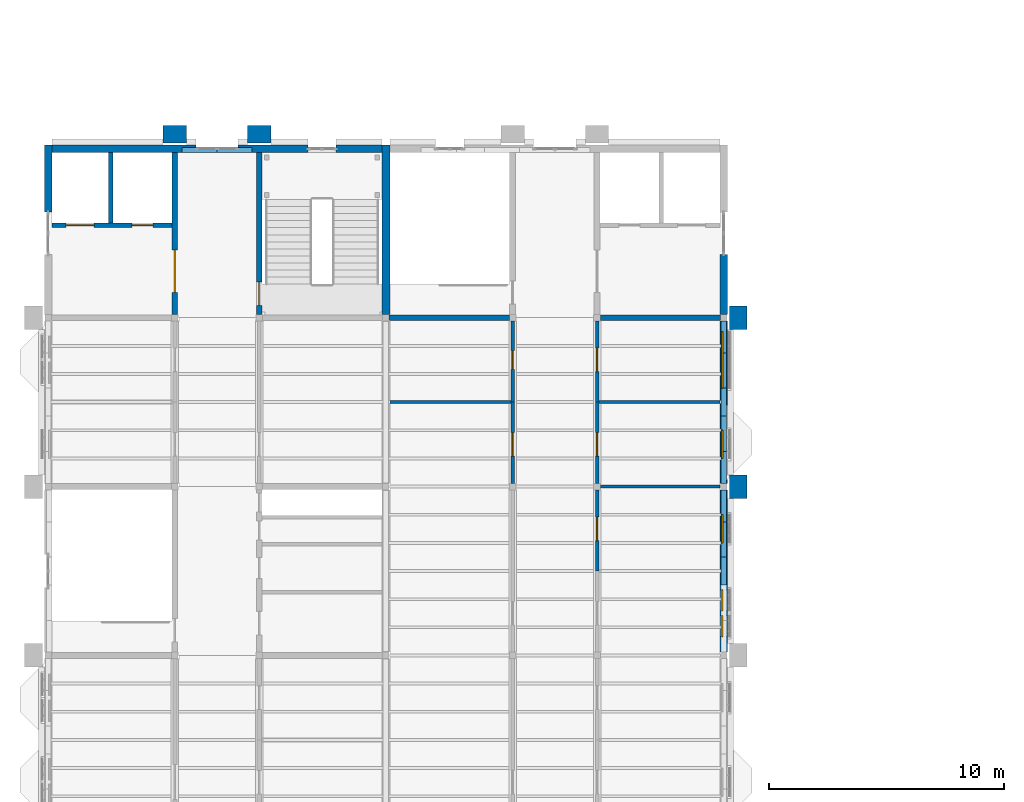
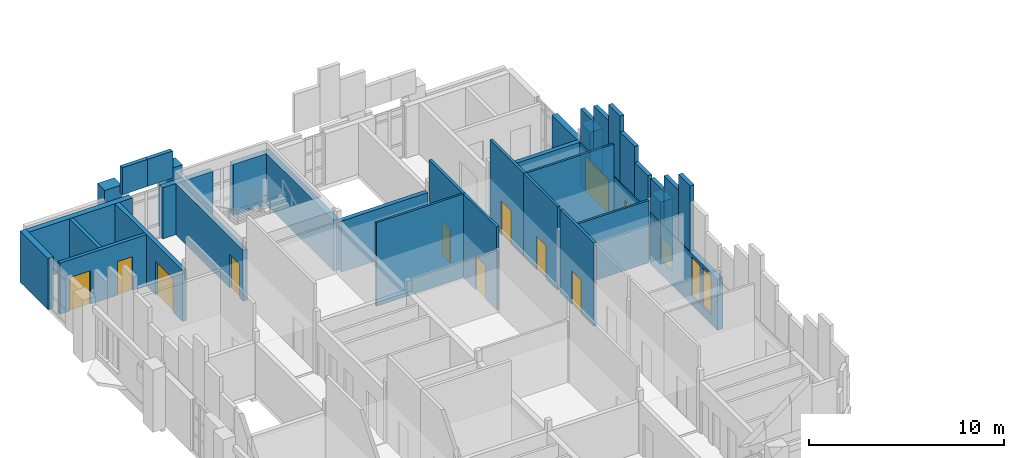
# One storey, part 35 of 51: 36 walls, 9 doors, 5 windows, 14 openings.
"""IFC4 building model written with IfcOpenShell, lengths in metres."""

from ifc_helpers import new_model, si_unit, direction, frame, frame_2d, origin, place, context, subcontext, project, spatial, rectangle, extrude, material, layer, layer_set, type_object, element, fill, save


model = new_model("IFC4")

# Units and contexts
model_context = context("Model", 3, precision=1e-05, world=origin(), true_north=direction((0.0, 1.0)))
body_context = subcontext(model_context, "Body", "Model", "MODEL_VIEW")
ifc_project = project(units=[si_unit("LENGTHUNIT", "METRE"), si_unit("AREAUNIT", "SQUARE_METRE"), si_unit("VOLUMEUNIT", "CUBIC_METRE"), si_unit("PLANEANGLEUNIT", "RADIAN"), si_unit("MASSUNIT", "GRAM", prefix="KILO")], contexts=[model_context])

# Site, building, storey
site_placement = place(None, origin())
site = spatial("IfcSite", under=ifc_project, at=site_placement, CompositionType="ELEMENT")
building_placement = place(site_placement, origin())
building = spatial("IfcBuilding", under=site, at=building_placement, Name="Mazhai Court Health Centre", CompositionType="ELEMENT")
storey_placement = place(building_placement, frame((0.0, 0.0, 14.10009765625)))
storey = spatial("IfcBuildingStorey", under=building, at=storey_placement, Name="L03", CompositionType="ELEMENT", Elevation=14.10009765625)

# Walls
ifc_material_1 = material(Name="Clay brick masonry", Category="masonry")
ifc_layer_1 = layer(ifc_material_1, 0.22998046875)
ifc_layer_set_1 = layer_set([ifc_layer_1], Name="BRICK PARAPET 230")
wall_type_1 = type_object("IfcWallType", Name="BRICK PARAPET 230", PredefinedType="SOLIDWALL", material=ifc_layer_set_1)
for number, where, z_axis, x_axis, name in (
    (1, (11.89990234375, 42.14990234375, 3.599853515625), (0.0, 0.0, 1.0), (1.0, 0.0, 0.0), "PR-V2-E5"),
    (2, (13.39990234375, 42.14990234375, 3.599853515625), (0.0, 0.0, 1.0), (1.0, 0.0, 0.0), "PR-V2-E6"),
):
    element("IfcWall", number, at=place(storey_placement, frame(where, z_axis=z_axis, x_axis=x_axis)), inside=storey, type_object=wall_type_1, Name=name, PredefinedType="SOLIDWALL", context=body_context, shape_type="SweptSolid", body=[
        extrude(rectangle(XDim=1.5, YDim=0.22998046875, at=frame_2d((0.75, 0.0))), origin(), (0.0, 0.0, 1.0), 1.699951171875),
    ])
wall_1_placement = place(storey_placement, frame((35.0, 24.800048828125, 3.199951171875), z_axis=(0.0, 0.0, 1.0), x_axis=(0.0, -1.0, 0.0)))
element("IfcWall", 3, at=wall_1_placement, inside=storey, type_object=wall_type_1, Name="PR-V5-B13", PredefinedType="SOLIDWALL", context=body_context, shape_type="SweptSolid", body=[
    extrude(rectangle(XDim=1.199951171875, YDim=0.22998046875, at=frame_2d((0.60009765625, 0.0))), origin(), (0.0, 0.0, 1.0), 4.099853515625),
])
wall_2_placement = place(storey_placement, frame((35.0, 26.300048828125, 3.199951171875), z_axis=(0.0, 0.0, 1.0), x_axis=(0.0, -1.0, 0.0)))
element("IfcWall", 4, at=wall_2_placement, inside=storey, type_object=wall_type_1, Name="PR-V5-B14", PredefinedType="SOLIDWALL", context=body_context, shape_type="SweptSolid", body=[
    extrude(rectangle(XDim=1.5, YDim=0.22998046875, at=frame_2d((0.75, 0.0))), origin(), (0.0, 0.0, 1.0), 3.099853515625),
])
wall_3_placement = place(storey_placement, frame((35.0, 27.659912109375, 3.199951171875), z_axis=(0.0, 0.0, 1.0), x_axis=(0.0, -1.0, 0.0)))
element("IfcWall", 5, at=wall_3_placement, inside=storey, type_object=wall_type_1, Name="PR-V5-B15", PredefinedType="SOLIDWALL", context=body_context, shape_type="SweptSolid", body=[
    extrude(rectangle(XDim=1.35986328125, YDim=0.22998046875, at=frame_2d((0.679931640625, 0.0))), origin(), (0.0, 0.0, 1.0), 2.099853515625),
])
wall_4_placement = place(storey_placement, frame((35.0, 29.300048828125, 3.199951171875), z_axis=(0.0, 0.0, 1.0), x_axis=(0.0, -1.0, 0.0)))
element("IfcWall", 6, at=wall_4_placement, inside=storey, type_object=wall_type_1, Name="PR-V5-B16", PredefinedType="SOLIDWALL", context=body_context, shape_type="SweptSolid", body=[
    extrude(rectangle(XDim=1.360107421875, YDim=0.22998046875, at=frame_2d((0.68017578125, 0.0))), origin(), (0.0, 0.0, 1.0), 2.099853515625),
])
wall_5_placement = place(storey_placement, frame((35.0, 30.800048828125, 3.199951171875), z_axis=(0.0, 0.0, 1.0), x_axis=(0.0, -1.0, 0.0)))
element("IfcWall", 7, at=wall_5_placement, inside=storey, type_object=wall_type_1, Name="PR-V5-B17", PredefinedType="SOLIDWALL", context=body_context, shape_type="SweptSolid", body=[
    extrude(rectangle(XDim=1.5, YDim=0.22998046875, at=frame_2d((0.75, 0.0))), origin(), (0.0, 0.0, 1.0), 3.099853515625),
])
wall_6_placement = place(storey_placement, frame((35.0, 32.0, 3.199951171875), z_axis=(0.0, 0.0, 1.0), x_axis=(0.0, -1.0, 0.0)))
element("IfcWall", 8, at=wall_6_placement, inside=storey, type_object=wall_type_1, Name="PR-V5-B18", PredefinedType="SOLIDWALL", context=body_context, shape_type="SweptSolid", body=[
    extrude(rectangle(XDim=1.199951171875, YDim=0.22998046875, at=frame_2d((0.60009765625, 0.0))), origin(), (0.0, 0.0, 1.0), 4.099853515625),
])
wall_7_placement = place(storey_placement, frame((35.0, 33.5, 3.199951171875), z_axis=(0.0, 0.0, 1.0), x_axis=(0.0, -1.0, 0.0)))
element("IfcWall", 9, at=wall_7_placement, inside=storey, type_object=wall_type_1, Name="PR-V5-B19", PredefinedType="SOLIDWALL", context=body_context, shape_type="SweptSolid", body=[
    extrude(rectangle(XDim=1.5, YDim=0.22998046875, at=frame_2d((0.75, 0.0))), origin(), (0.0, 0.0, 1.0), 3.099853515625),
])
wall_8_placement = place(storey_placement, frame((35.0, 34.860107421875, 3.199951171875), z_axis=(0.0, 0.0, 1.0), x_axis=(0.0, -1.0, 0.0)))
element("IfcWall", 10, at=wall_8_placement, inside=storey, type_object=wall_type_1, Name="PR-V5-B20", PredefinedType="SOLIDWALL", context=body_context, shape_type="SweptSolid", body=[
    extrude(rectangle(XDim=1.360107421875, YDim=0.22998046875, at=frame_2d((0.68017578125, 0.0))), origin(), (0.0, 0.0, 1.0), 2.099853515625),
])
ifc_material_2 = material(Name="Clay brick masonry", Category="masonry")
ifc_layer_2 = layer(ifc_material_2, 0.75)
ifc_layer_set_2 = layer_set([ifc_layer_2], Name="BRICK PIER 750")
wall_type_2 = type_object("IfcWallType", Name="BRICK PIER 750", PredefinedType="SOLIDWALL", material=ifc_layer_set_2)
for number, where, z_axis, x_axis, name in (
    (11, (11.10009765625, 42.824951171875, 0.0), (0.0, 0.0, 1.0), (1.0, 0.0, 0.0), "EP-V2-L03-E54"),
    (12, (14.699951171875, 42.824951171875, 0.0), (0.0, 0.0, 1.0), (1.0, 0.0, 0.0), "EP-V2-L03-E90"),
    (13, (35.625, 28.300048828125, 0.0), (0.0, 0.0, 1.0), (0.0, -1.0, 0.0), "EP-V5-L03-B3"),
    (14, (35.625, 35.5, 0.0), (0.0, 0.0, 1.0), (0.0, -1.0, 0.0), "EP-V5-L03-B4"),
):
    element("IfcWall", number, at=place(storey_placement, frame(where, z_axis=z_axis, x_axis=x_axis)), inside=storey, type_object=wall_type_2, Name=name, PredefinedType="SOLIDWALL", context=body_context, shape_type="SweptSolid", body=[
        extrude(rectangle(XDim=1.0, YDim=0.75, at=frame_2d((0.5, 0.0))), origin(), (0.0, 0.0, 1.0), 3.89990234375),
    ])
ifc_material_3 = material(Name="Clay brick masonry", Category="masonry")
ifc_layer_3 = layer(ifc_material_3, 0.330078125)
ifc_layer_set_3 = layer_set([ifc_layer_3], Name="BRICK WALL 330 EXTERNAL")
wall_type_3 = type_object("IfcWallType", Name="BRICK WALL 330 EXTERNAL", PredefinedType="SOLIDWALL", material=ifc_layer_set_3)
wall_9_placement = place(storey_placement, frame((6.199951171875, 39.5, 0.0), z_axis=(0.0, 0.0, 1.0), x_axis=(0.0, 1.0, 0.0)))
element("IfcWall", 15, at=wall_9_placement, inside=storey, type_object=wall_type_3, Name="EW-V2-L03-A4b", PredefinedType="SOLIDWALL", context=body_context, shape_type="SweptSolid", body=[
    extrude(rectangle(XDim=2.864990234375, YDim=0.330078125, at=frame_2d((1.4326171875, 0.0))), origin(), (0.0, 0.0, 1.0), 3.199951171875),
])
wall_10_placement = place(storey_placement, frame((6.364990234375, 42.199951171875, 0.0), z_axis=(0.0, 0.0, 1.0), x_axis=(1.0, 0.0, 0.0)))
element("IfcWall", 16, at=wall_10_placement, inside=storey, type_object=wall_type_3, Name="EW-V2-L03-Ep0", PredefinedType="SOLIDWALL", context=body_context, shape_type="SweptSolid", body=[
    extrude(rectangle(XDim=6.135009765625, YDim=0.330078125, at=frame_2d((3.0673828125, 0.0))), origin(), (0.0, 0.0, 1.0), 3.199951171875),
])
wall_11_placement = place(storey_placement, frame((14.300048828125, 42.199951171875, 0.0), z_axis=(0.0, 0.0, 1.0), x_axis=(1.0, 0.0, 0.0)))
element("IfcWall", 17, at=wall_11_placement, inside=storey, type_object=wall_type_3, Name="EW-V2-L03-Ep1", PredefinedType="SOLIDWALL", context=body_context, shape_type="SweptSolid", body=[
    extrude(rectangle(XDim=2.97998046875, YDim=0.330078125, at=frame_2d((1.489990234375, 0.0))), origin(), (0.0, 0.0, 1.0), 3.199951171875),
])
wall_12_placement = place(storey_placement, frame((18.47998046875, 42.199951171875, 0.0), z_axis=(0.0, 0.0, 1.0), x_axis=(1.0, 0.0, 0.0)))
element("IfcWall", 18, at=wall_12_placement, inside=storey, type_object=wall_type_3, Name="EW-V2-L03-Ep2", PredefinedType="SOLIDWALL", context=body_context, shape_type="SweptSolid", body=[
    extrude(rectangle(XDim=1.955078125, YDim=0.330078125, at=frame_2d((0.9775390625, 0.0))), origin(), (0.0, 0.0, 1.0), 3.199951171875),
])

# Wall, openings, windows
wall_13_placement = place(storey_placement, frame((35.0, 27.659912109375, 0.0), z_axis=(0.0, 0.0, 1.0), x_axis=(0.0, -1.0, 0.0)))
wall_13 = element("IfcWall", 19, at=wall_13_placement, inside=storey, type_object=wall_type_3, Name="EW-V5-L03-B2p0", PredefinedType="SOLIDWALL", context=body_context, shape_type="SweptSolid", body=[
    extrude(rectangle(XDim=6.919921875, YDim=0.330078125, at=frame_2d((3.4599609375, 0.0))), origin(), (0.0, 0.0, 1.0), 3.199951171875),
])
opening_1_placement = place(wall_13_placement, frame((5.360107421875, 0.0, 0.60009765625)))
opening_1 = element("IfcOpeningElement", 20, at=opening_1_placement, cuts=wall_13, Name="Opening W14", PredefinedType="OPENING", context=body_context, shape_type="SweptSolid", body=[
    extrude(rectangle(XDim=0.89990234375, YDim=2.39990234375, at=frame_2d((0.449951171875, 1.199951171875))), frame((0.0, 0.175048828125, 0.0), z_axis=(0.0, -1.0, 0.0), x_axis=(1.0, 0.0, 0.0)), (0.0, 0.0, 1.0), 0.35009765625),
])
opening_2_placement = place(wall_13_placement, frame((4.260009765625, 0.0, 0.60009765625)))
opening_2 = element("IfcOpeningElement", 21, at=opening_2_placement, cuts=wall_13, Name="Opening W14", PredefinedType="OPENING", context=body_context, shape_type="SweptSolid", body=[
    extrude(rectangle(XDim=0.89990234375, YDim=2.39990234375, at=frame_2d((0.449951171875, 1.199951171875))), frame((0.0, 0.175048828125, 0.0), z_axis=(0.0, -1.0, 0.0), x_axis=(1.0, 0.0, 0.0)), (0.0, 0.0, 1.0), 0.35009765625),
])
opening_3_placement = place(wall_13_placement, frame((1.06005859375, 0.0, 0.89990234375)))
opening_3 = element("IfcOpeningElement", 22, at=opening_3_placement, cuts=wall_13, Name="Opening W12", PredefinedType="OPENING", context=body_context, shape_type="SweptSolid", body=[
    extrude(rectangle(XDim=1.199951171875, YDim=1.5, at=frame_2d((0.60009765625, 0.75))), frame((0.0, 0.175048828125, 0.0), z_axis=(0.0, -1.0, 0.0), x_axis=(1.0, 0.0, 0.0)), (0.0, 0.0, 1.0), 0.35009765625),
])
ifc_material_4 = material(Name="Teak timber frame, glazed", Category="wood")
window_type_1 = type_object("IfcWindowType", Name="WINDOW OFFICE 1200x1500", PartitioningType="SINGLE_PANEL", PredefinedType="WINDOW", material=ifc_material_4)
window_1_placement = place(opening_3_placement, origin())
window_1 = element("IfcWindow", 23, at=window_1_placement, inside=storey, type_object=window_type_1, Name="W12 WN-V5-L03-B21", OverallHeight=1.5, OverallWidth=1.199951171875, PartitioningType="SINGLE_PANEL", PredefinedType="WINDOW", context=body_context, shape_type="SweptSolid", body=[
    extrude(rectangle(XDim=1.199951171875, YDim=1.5, at=frame_2d((0.60009765625, 0.75))), frame((0.0, -0.030029296875, 0.0), z_axis=(0.0, -1.0, 0.0), x_axis=(1.0, 0.0, 0.0)), (0.0, 0.0, 1.0), 0.06005859375),
])
fill(opening_3, window_1)
ifc_material_5 = material(Name="Teak timber frame, glazed", Category="wood")
window_type_2 = type_object("IfcWindowType", Name="WINDOW TALL PAIRED 900x2400", PartitioningType="SINGLE_PANEL", PredefinedType="WINDOW", material=ifc_material_5)
window_2_placement = place(opening_1_placement, origin())
window_2 = element("IfcWindow", 24, at=window_2_placement, inside=storey, type_object=window_type_2, Name="W14 WN-V5-L03-B20a", OverallHeight=2.39990234375, OverallWidth=0.89990234375, PartitioningType="SINGLE_PANEL", PredefinedType="WINDOW", context=body_context, shape_type="SweptSolid", body=[
    extrude(rectangle(XDim=0.89990234375, YDim=2.39990234375, at=frame_2d((0.449951171875, 1.199951171875))), frame((0.0, -0.030029296875, 0.0), z_axis=(0.0, -1.0, 0.0), x_axis=(1.0, 0.0, 0.0)), (0.0, 0.0, 1.0), 0.06005859375),
])
fill(opening_1, window_2)
window_3_placement = place(opening_2_placement, origin())
window_3 = element("IfcWindow", 25, at=window_3_placement, inside=storey, type_object=window_type_2, Name="W14 WN-V5-L03-B20b", OverallHeight=2.39990234375, OverallWidth=0.89990234375, PartitioningType="SINGLE_PANEL", PredefinedType="WINDOW", context=body_context, shape_type="SweptSolid", body=[
    extrude(rectangle(XDim=0.89990234375, YDim=2.39990234375, at=frame_2d((0.449951171875, 1.199951171875))), frame((0.0, -0.030029296875, 0.0), z_axis=(0.0, -1.0, 0.0), x_axis=(1.0, 0.0, 0.0)), (0.0, 0.0, 1.0), 0.06005859375),
])
fill(opening_2, window_3)

wall_14_placement = place(storey_placement, frame((35.0, 34.860107421875, 0.0), z_axis=(0.0, 0.0, 1.0), x_axis=(0.0, -1.0, 0.0)))
wall_14 = element("IfcWall", 26, at=wall_14_placement, inside=storey, type_object=wall_type_3, Name="EW-V5-L03-B3p0", PredefinedType="SOLIDWALL", context=body_context, shape_type="SweptSolid", body=[
    extrude(rectangle(XDim=6.920166015625, YDim=0.330078125, at=frame_2d((3.4599609375, 0.0))), origin(), (0.0, 0.0, 1.0), 3.199951171875),
])
opening_4_placement = place(wall_14_placement, frame((4.659912109375, 0.0, 0.89990234375)))
opening_4 = element("IfcOpeningElement", 27, at=opening_4_placement, cuts=wall_14, Name="Opening W12", PredefinedType="OPENING", context=body_context, shape_type="SweptSolid", body=[
    extrude(rectangle(XDim=1.199951171875, YDim=1.5, at=frame_2d((0.60009765625, 0.75))), frame((0.0, 0.175048828125, 0.0), z_axis=(0.0, -1.0, 0.0), x_axis=(1.0, 0.0, 0.0)), (0.0, 0.0, 1.0), 0.35009765625),
])
opening_5_placement = place(wall_14_placement, frame((0.4599609375, 0.0, 0.449951171875)))
opening_5 = element("IfcOpeningElement", 28, at=opening_5_placement, cuts=wall_14, Name="Opening W10", PredefinedType="OPENING", context=body_context, shape_type="SweptSolid", body=[
    extrude(rectangle(XDim=2.39990234375, YDim=2.10009765625, at=frame_2d((1.199951171875, 1.050048828125))), frame((0.0, 0.175048828125, 0.0), z_axis=(0.0, -1.0, 0.0), x_axis=(1.0, 0.0, 0.0)), (0.0, 0.0, 1.0), 0.35009765625),
])
ifc_material_6 = material(Name="Teak timber frame, glazed", Category="wood")
window_type_3 = type_object("IfcWindowType", Name="WINDOW LOUNGE 2400x2100", PartitioningType="SINGLE_PANEL", PredefinedType="WINDOW", material=ifc_material_6)
window_4_placement = place(opening_5_placement, origin())
window_4 = element("IfcWindow", 29, at=window_4_placement, inside=storey, type_object=window_type_3, Name="W10 WN-V5-L03-B31", OverallHeight=2.10009765625, OverallWidth=2.39990234375, PartitioningType="SINGLE_PANEL", PredefinedType="WINDOW", context=body_context, shape_type="SweptSolid", body=[
    extrude(rectangle(XDim=2.39990234375, YDim=2.10009765625, at=frame_2d((1.199951171875, 1.050048828125))), frame((0.0, -0.030029296875, 0.0), z_axis=(0.0, -1.0, 0.0), x_axis=(1.0, 0.0, 0.0)), (0.0, 0.0, 1.0), 0.06005859375),
])
fill(opening_5, window_4)
window_5_placement = place(opening_4_placement, origin())
window_5 = element("IfcWindow", 30, at=window_5_placement, inside=storey, type_object=window_type_1, Name="W12 WN-V5-L03-B30", OverallHeight=1.5, OverallWidth=1.199951171875, PartitioningType="SINGLE_PANEL", PredefinedType="WINDOW", context=body_context, shape_type="SweptSolid", body=[
    extrude(rectangle(XDim=1.199951171875, YDim=1.5, at=frame_2d((0.60009765625, 0.75))), frame((0.0, -0.030029296875, 0.0), z_axis=(0.0, -1.0, 0.0), x_axis=(1.0, 0.0, 0.0)), (0.0, 0.0, 1.0), 0.06005859375),
])
fill(opening_4, window_5)

# Walls
wall_15_placement = place(storey_placement, frame((35.0, 37.699951171875, 0.0), z_axis=(0.0, 0.0, 1.0), x_axis=(0.0, -1.0, 0.0)))
element("IfcWall", 31, at=wall_15_placement, inside=storey, type_object=wall_type_3, Name="EW-V5-L03-B4a", PredefinedType="SOLIDWALL", context=body_context, shape_type="SweptSolid", body=[
    extrude(rectangle(XDim=2.56005859375, YDim=0.330078125, at=frame_2d((1.280029296875, 0.0))), origin(), (0.0, 0.0, 1.0), 3.199951171875),
])
ifc_material_7 = material(Name="Clay brick masonry", Category="masonry")
ifc_layer_4 = layer(ifc_material_7, 0.330078125)
ifc_layer_set_4 = layer_set([ifc_layer_4], Name="BRICK WALL 330 INTERNAL")
wall_type_4 = type_object("IfcWallType", Name="BRICK WALL 330 INTERNAL", PredefinedType="SOLIDWALL", material=ifc_layer_set_4)
wall_16_placement = place(storey_placement, frame((20.60009765625, 42.364990234375, 0.0), z_axis=(0.0, 0.0, 1.0), x_axis=(0.0, -1.0, 0.0)))
element("IfcWall", 32, at=wall_16_placement, inside=storey, type_object=wall_type_4, Name="EW-V2-L03-B4", PredefinedType="SOLIDWALL", context=body_context, shape_type="SweptSolid", body=[
    extrude(rectangle(XDim=7.22509765625, YDim=0.330078125, at=frame_2d((3.612548828125, 0.0))), origin(), (0.0, 0.0, 1.0), 3.199951171875),
])
ifc_material_8 = material(Name="Gypsum plasterboard partition")
ifc_layer_5 = layer(ifc_material_8, 0.125)
ifc_layer_set_5 = layer_set([ifc_layer_5], Name="PARTITION 125 STUD EI30")
wall_type_5 = type_object("IfcWallType", Name="PARTITION 125 STUD EI30", PredefinedType="PARTITIONING", material=ifc_layer_set_5)
wall_17_placement = place(storey_placement, frame((20.764892578125, 31.39990234375, 0.0), z_axis=(0.0, 0.0, 1.0), x_axis=(1.0, 0.0, 0.0)))
element("IfcWall", 33, at=wall_17_placement, inside=storey, type_object=wall_type_5, Name="wall-V5-L03-A0-cross-3a", PredefinedType="PARTITIONING", context=body_context, shape_type="SweptSolid", body=[
    extrude(rectangle(XDim=5.16015625, YDim=0.125, at=frame_2d((2.580078125, 0.0))), origin(), (0.0, 0.0, 1.0), 5.233154296875),
])
wall_18_placement = place(storey_placement, frame((34.8349609375, 27.800048828125, 0.0), z_axis=(0.0, 0.0, 1.0), x_axis=(-1.0, 0.0, 0.0)))
element("IfcWall", 34, at=wall_18_placement, inside=storey, type_object=wall_type_5, Name="wall-V5-L03-B0-cross-4a", PredefinedType="PARTITIONING", context=body_context, shape_type="SweptSolid", body=[
    extrude(rectangle(XDim=5.094970703125, YDim=0.125, at=frame_2d((2.54736328125, 0.0))), origin(), (0.0, 0.0, 1.0), 3.89990234375),
])
wall_19_placement = place(storey_placement, frame((34.8349609375, 31.39990234375, 0.0), z_axis=(0.0, 0.0, 1.0), x_axis=(-1.0, 0.0, 0.0)))
element("IfcWall", 35, at=wall_19_placement, inside=storey, type_object=wall_type_5, Name="wall-V5-L03-B0-cross-5a", PredefinedType="PARTITIONING", context=body_context, shape_type="SweptSolid", body=[
    extrude(rectangle(XDim=5.159912109375, YDim=0.125, at=frame_2d((2.580078125, 0.0))), origin(), (0.0, 0.0, 1.0), 5.233154296875),
])

# Wall, opening, door
ifc_material_9 = material(Name="Gypsum plasterboard partition")
ifc_layer_6 = layer(ifc_material_9, 0.14990234375)
ifc_layer_set_6 = layer_set([ifc_layer_6], Name="PARTITION 150 CORRIDOR EI60")
wall_type_6 = type_object("IfcWallType", Name="PARTITION 150 CORRIDOR EI60", PredefinedType="PARTITIONING", material=ifc_layer_set_6)
wall_20_placement = place(storey_placement, frame((26.0, 27.93994140625, 0.0), z_axis=(0.0, 0.0, 1.0), x_axis=(0.0, 1.0, 0.0)))
wall_20 = element("IfcWall", 36, at=wall_20_placement, inside=storey, type_object=wall_type_6, Name="wall-V5-L03-A0-corr-2a", PredefinedType="PARTITIONING", context=body_context, shape_type="SweptSolid", body=[
    extrude(rectangle(XDim=3.4599609375, YDim=0.14990234375, at=frame_2d((1.72998046875, 0.0))), origin(), (0.0, 0.0, 1.0), 5.233154296875),
])
opening_6_placement = place(wall_20_placement, frame((1.159912109375, 0.0, 0.0)))
opening_6 = element("IfcOpeningElement", 37, at=opening_6_placement, cuts=wall_20, Name="Opening D-L03-022", PredefinedType="OPENING", context=body_context, shape_type="SweptSolid", body=[
    extrude(rectangle(XDim=1.0, YDim=2.10009765625, at=frame_2d((0.5, 1.050048828125))), frame((0.0, 0.0849609375, 0.0), z_axis=(0.0, -1.0, 0.0), x_axis=(1.0, 0.0, 0.0)), (0.0, 0.0, 1.0), 0.169921875),
])
ifc_material_10 = material(Name="Hardwood door leaf", Category="wood")
door_type_1 = type_object("IfcDoorType", Name="DOOR 1000x2100 FD30S SINGLE", OperationType="NOTDEFINED", PredefinedType="DOOR", material=ifc_material_10)
door_1_placement = place(opening_6_placement, origin())
door_1 = element("IfcDoor", 38, at=door_1_placement, inside=storey, type_object=door_type_1, Name="door-V5-L03-A0-computer-training-room", OperationType="SINGLE_SWING_LEFT", OverallHeight=2.10009765625, OverallWidth=1.0, PredefinedType="DOOR", context=body_context, shape_type="SweptSolid", body=[
    extrude(rectangle(XDim=1.0, YDim=2.10009765625, at=frame_2d((0.5, 1.050048828125))), frame((0.0, 0.02490234375, 0.0), z_axis=(0.0, -1.0, 0.0), x_axis=(1.0, 0.0, 0.0)), (0.0, 0.0, 1.0), 0.050048828125),
])
fill(opening_6, door_1)

wall_21_placement = place(storey_placement, frame((26.0, 31.39990234375, 0.0), z_axis=(0.0, 0.0, 1.0), x_axis=(0.0, 1.0, 0.0)))
wall_21 = element("IfcWall", 39, at=wall_21_placement, inside=storey, type_object=wall_type_6, Name="wall-V5-L03-A0-corr-3a", PredefinedType="PARTITIONING", context=body_context, shape_type="SweptSolid", body=[
    extrude(rectangle(XDim=3.460205078125, YDim=0.14990234375, at=frame_2d((1.72998046875, 0.0))), origin(), (0.0, 0.0, 1.0), 5.233154296875),
])
opening_7_placement = place(wall_21_placement, frame((1.39990234375, 0.0, 0.0)))
opening_7 = element("IfcOpeningElement", 40, at=opening_7_placement, cuts=wall_21, Name="Opening D-L03-023", PredefinedType="OPENING", context=body_context, shape_type="SweptSolid", body=[
    extrude(rectangle(XDim=0.800048828125, YDim=2.10009765625, at=frame_2d((0.39990234375, 1.050048828125))), frame((0.0, 0.0849609375, 0.0), z_axis=(0.0, -1.0, 0.0), x_axis=(1.0, 0.0, 0.0)), (0.0, 0.0, 1.0), 0.169921875),
])
ifc_material_11 = material(Name="Hardwood door leaf", Category="wood")
door_type_2 = type_object("IfcDoorType", Name="DOOR 800x2100 FD30S SINGLE", OperationType="NOTDEFINED", PredefinedType="DOOR", material=ifc_material_11)
door_2_placement = place(opening_7_placement, origin())
door_2 = element("IfcDoor", 41, at=door_2_placement, inside=storey, type_object=door_type_2, Name="door-V5-L03-A0-training-store", OperationType="SINGLE_SWING_RIGHT", OverallHeight=2.10009765625, OverallWidth=0.800048828125, PredefinedType="DOOR", context=body_context, shape_type="SweptSolid", body=[
    extrude(rectangle(XDim=0.800048828125, YDim=2.10009765625, at=frame_2d((0.39990234375, 1.050048828125))), frame((0.0, 0.02490234375, 0.0), z_axis=(0.0, -1.0, 0.0), x_axis=(1.0, 0.0, 0.0)), (0.0, 0.0, 1.0), 0.050048828125),
])
fill(opening_7, door_2)

wall_22_placement = place(storey_placement, frame((29.60009765625, 27.659912109375, 0.0), z_axis=(0.0, 0.0, 1.0), x_axis=(0.0, -1.0, 0.0)))
wall_22 = element("IfcWall", 42, at=wall_22_placement, inside=storey, type_object=wall_type_6, Name="wall-V5-L03-B0-corr-3a", PredefinedType="PARTITIONING", context=body_context, shape_type="SweptSolid", body=[
    extrude(rectangle(XDim=3.4599609375, YDim=0.14990234375, at=frame_2d((1.72998046875, 0.0))), origin(), (0.0, 0.0, 1.0), 5.233154296875),
])
opening_8_placement = place(wall_22_placement, frame((1.159912109375, 0.0, 0.0)))
opening_8 = element("IfcOpeningElement", 43, at=opening_8_placement, cuts=wall_22, Name="Opening D-L03-032", PredefinedType="OPENING", context=body_context, shape_type="SweptSolid", body=[
    extrude(rectangle(XDim=1.0, YDim=2.10009765625, at=frame_2d((0.5, 1.050048828125))), frame((0.0, 0.0849609375, 0.0), z_axis=(0.0, -1.0, 0.0), x_axis=(1.0, 0.0, 0.0)), (0.0, 0.0, 1.0), 0.169921875),
])
door_3_placement = place(opening_8_placement, origin())
door_3 = element("IfcDoor", 44, at=door_3_placement, inside=storey, type_object=door_type_1, Name="door-V5-L03-B0-practice-manager-office", OperationType="SINGLE_SWING_LEFT", OverallHeight=2.10009765625, OverallWidth=1.0, PredefinedType="DOOR", context=body_context, shape_type="SweptSolid", body=[
    extrude(rectangle(XDim=1.0, YDim=2.10009765625, at=frame_2d((0.5, 1.050048828125))), frame((0.0, 0.02490234375, 0.0), z_axis=(0.0, -1.0, 0.0), x_axis=(1.0, 0.0, 0.0)), (0.0, 0.0, 1.0), 0.050048828125),
])
fill(opening_8, door_3)

wall_23_placement = place(storey_placement, frame((29.60009765625, 31.39990234375, 0.0), z_axis=(0.0, 0.0, 1.0), x_axis=(0.0, -1.0, 0.0)))
wall_23 = element("IfcWall", 45, at=wall_23_placement, inside=storey, type_object=wall_type_6, Name="wall-V5-L03-B0-corr-4a", PredefinedType="PARTITIONING", context=body_context, shape_type="SweptSolid", body=[
    extrude(rectangle(XDim=3.4599609375, YDim=0.14990234375, at=frame_2d((1.72998046875, 0.0))), origin(), (0.0, 0.0, 1.0), 5.233154296875),
])
opening_9_placement = place(wall_23_placement, frame((1.300048828125, 0.0, 0.0)))
opening_9 = element("IfcOpeningElement", 46, at=opening_9_placement, cuts=wall_23, Name="Opening D-L03-033", PredefinedType="OPENING", context=body_context, shape_type="SweptSolid", body=[
    extrude(rectangle(XDim=1.0, YDim=2.10009765625, at=frame_2d((0.5, 1.050048828125))), frame((0.0, 0.0849609375, 0.0), z_axis=(0.0, -1.0, 0.0), x_axis=(1.0, 0.0, 0.0)), (0.0, 0.0, 1.0), 0.169921875),
])
door_4_placement = place(opening_9_placement, origin())
door_4 = element("IfcDoor", 47, at=door_4_placement, inside=storey, type_object=door_type_1, Name="door-V5-L03-B0-staff-library", OperationType="SINGLE_SWING_RIGHT", OverallHeight=2.10009765625, OverallWidth=1.0, PredefinedType="DOOR", context=body_context, shape_type="SweptSolid", body=[
    extrude(rectangle(XDim=1.0, YDim=2.10009765625, at=frame_2d((0.5, 1.050048828125))), frame((0.0, 0.02490234375, 0.0), z_axis=(0.0, -1.0, 0.0), x_axis=(1.0, 0.0, 0.0)), (0.0, 0.0, 1.0), 0.050048828125),
])
fill(opening_9, door_4)

wall_24_placement = place(storey_placement, frame((29.60009765625, 34.860107421875, 0.0), z_axis=(0.0, 0.0, 1.0), x_axis=(0.0, -1.0, 0.0)))
wall_24 = element("IfcWall", 48, at=wall_24_placement, inside=storey, type_object=wall_type_6, Name="wall-V5-L03-B0-corr-5a", PredefinedType="PARTITIONING", context=body_context, shape_type="SweptSolid", body=[
    extrude(rectangle(XDim=3.460205078125, YDim=0.14990234375, at=frame_2d((1.72998046875, 0.0))), origin(), (0.0, 0.0, 1.0), 5.233154296875),
])
opening_10_placement = place(wall_24_placement, frame((1.159912109375, 0.0, 0.0)))
opening_10 = element("IfcOpeningElement", 49, at=opening_10_placement, cuts=wall_24, Name="Opening D-L03-034", PredefinedType="OPENING", context=body_context, shape_type="SweptSolid", body=[
    extrude(rectangle(XDim=1.0, YDim=2.10009765625, at=frame_2d((0.5, 1.050048828125))), frame((0.0, 0.0849609375, 0.0), z_axis=(0.0, -1.0, 0.0), x_axis=(1.0, 0.0, 0.0)), (0.0, 0.0, 1.0), 0.169921875),
])
door_5_placement = place(opening_10_placement, origin())
door_5 = element("IfcDoor", 50, at=door_5_placement, inside=storey, type_object=door_type_1, Name="door-V5-L03-B0-staff-lounge", OperationType="SINGLE_SWING_LEFT", OverallHeight=2.10009765625, OverallWidth=1.0, PredefinedType="DOOR", context=body_context, shape_type="SweptSolid", body=[
    extrude(rectangle(XDim=1.0, YDim=2.10009765625, at=frame_2d((0.5, 1.050048828125))), frame((0.0, 0.02490234375, 0.0), z_axis=(0.0, -1.0, 0.0), x_axis=(1.0, 0.0, 0.0)), (0.0, 0.0, 1.0), 0.050048828125),
])
fill(opening_10, door_5)

ifc_material_12 = material(Name="Concrete M40", Category="concrete")
ifc_layer_7 = layer(ifc_material_12, 0.25)
ifc_layer_set_7 = layer_set([ifc_layer_7], Name="RC CORE WALL 250 M40")
wall_type_7 = type_object("IfcWallType", Name="RC CORE WALL 250 M40", PredefinedType="SHEAR", material=ifc_layer_set_7)
wall_25_placement = place(storey_placement, frame((15.199951171875, 35.139892578125, 0.0), z_axis=(0.0, 0.0, 1.0), x_axis=(0.0, 1.0, 0.0)))
wall_25 = element("IfcWall", 51, at=wall_25_placement, inside=storey, type_object=wall_type_7, Name="core-C3-w-stair-corr-L03", PredefinedType="SHEAR", context=body_context, shape_type="SweptSolid", body=[
    extrude(rectangle(XDim=6.89501953125, YDim=0.25, at=frame_2d((3.447509765625, 0.0))), origin(), (0.0, 0.0, 1.0), 3.199951171875),
])
opening_11_placement = place(wall_25_placement, frame((0.385009765625, 0.0, 0.0)))
opening_11 = element("IfcOpeningElement", 52, at=opening_11_placement, cuts=wall_25, Name="Opening D-L03-018", PredefinedType="OPENING", context=body_context, shape_type="SweptSolid", body=[
    extrude(rectangle(XDim=1.0, YDim=2.10009765625, at=frame_2d((0.5, 1.050048828125))), frame((0.0, 0.135009765625, 0.0), z_axis=(0.0, -1.0, 0.0), x_axis=(1.0, 0.0, 0.0)), (0.0, 0.0, 1.0), 0.27001953125),
])
ifc_material_13 = material(Name="Steel fire door leaf", Category="steel")
door_type_3 = type_object("IfcDoorType", Name="FD120S STAIR DOOR 1000x2100", OperationType="SINGLE_SWING_LEFT", PredefinedType="DOOR", material=ifc_material_13)
door_6_placement = place(opening_11_placement, origin())
door_6 = element("IfcDoor", 53, at=door_6_placement, inside=storey, type_object=door_type_3, Name="Stair 3 door L03", OperationType="SINGLE_SWING_LEFT", OverallHeight=2.10009765625, OverallWidth=1.0, PredefinedType="DOOR", context=body_context, shape_type="SweptSolid", body=[
    extrude(rectangle(XDim=1.0, YDim=2.10009765625, at=frame_2d((0.5, 1.050048828125))), frame((0.0, 0.02490234375, 0.0), z_axis=(0.0, -1.0, 0.0), x_axis=(1.0, 0.0, 0.0)), (0.0, 0.0, 1.0), 0.050048828125),
])
fill(opening_11, door_6)

wall_26_placement = place(storey_placement, frame((11.60009765625, 35.139892578125, 0.0), z_axis=(0.0, 0.0, 1.0), x_axis=(0.0, 1.0, 0.0)))
wall_26 = element("IfcWall", 54, at=wall_26_placement, inside=storey, type_object=wall_type_7, Name="core-C3-w-other-corr-L03", PredefinedType="SHEAR", context=body_context, shape_type="SweptSolid", body=[
    extrude(rectangle(XDim=6.89501953125, YDim=0.25, at=frame_2d((3.447509765625, 0.0))), origin(), (0.0, 0.0, 1.0), 3.199951171875),
])
opening_12_placement = place(wall_26_placement, frame((0.93994140625, 0.0, 0.0)))
opening_12 = element("IfcOpeningElement", 55, at=opening_12_placement, cuts=wall_26, Name="Opening D-L03-006", PredefinedType="OPENING", context=body_context, shape_type="SweptSolid", body=[
    extrude(rectangle(XDim=1.800048828125, YDim=2.10009765625, at=frame_2d((0.89990234375, 1.050048828125))), frame((0.0, 0.135009765625, 0.0), z_axis=(0.0, -1.0, 0.0), x_axis=(1.0, 0.0, 0.0)), (0.0, 0.0, 1.0), 0.27001953125),
])
ifc_material_14 = material(Name="Steel fire door leaf", Category="steel")
door_type_4 = type_object("IfcDoorType", Name="FD60S LIFT LOBBY DOOR 1800x2100", OperationType="DOUBLE_DOOR_SINGLE_SWING", PredefinedType="DOOR", material=ifc_material_14)
door_7_placement = place(opening_12_placement, origin())
door_7 = element("IfcDoor", 56, at=door_7_placement, inside=storey, type_object=door_type_4, Name="Lift lobby door L03", OperationType="DOUBLE_DOOR_SINGLE_SWING", OverallHeight=2.10009765625, OverallWidth=1.800048828125, PredefinedType="DOOR", context=body_context, shape_type="SweptSolid", body=[
    extrude(rectangle(XDim=1.800048828125, YDim=2.10009765625, at=frame_2d((0.89990234375, 1.050048828125))), frame((0.0, 0.02490234375, 0.0), z_axis=(0.0, -1.0, 0.0), x_axis=(1.0, 0.0, 0.0)), (0.0, 0.0, 1.0), 0.050048828125),
])
fill(opening_12, door_7)

# Walls
for number, where, z_axis, x_axis, name in (
    (57, (20.739990234375, 35.0, 0.0), (0.0, 0.0, 1.0), (1.0, 0.0, 0.0), "core-C5-w-stair-line0-L03"),
    (58, (29.739990234375, 35.0, 0.0), (0.0, 0.0, 1.0), (1.0, 0.0, 0.0), "core-C5-w-other-line0-L03"),
):
    element("IfcWall", number, at=place(storey_placement, frame(where, z_axis=z_axis, x_axis=x_axis)), inside=storey, type_object=wall_type_7, Name=name, PredefinedType="SHEAR", context=body_context, shape_type="SweptSolid", body=[
        extrude(rectangle(XDim=5.1201171875, YDim=0.25, at=frame_2d((2.56005859375, 0.0))), origin(), (0.0, 0.0, 1.0), 3.199951171875),
    ])

# Wall, openings, doors
ifc_material_15 = material(Name="Concrete M40", Category="concrete")
ifc_layer_8 = layer(ifc_material_15, 0.199951171875)
ifc_layer_set_8 = layer_set([ifc_layer_8], Name="RC SHAFT WALL 200 M40")
wall_type_8 = type_object("IfcWallType", Name="RC SHAFT WALL 200 M40", PredefinedType="SHEAR", material=ifc_layer_set_8)
wall_27_placement = place(storey_placement, frame((6.364990234375, 38.93505859375, 0.0), z_axis=(0.0, 0.0, 1.0), x_axis=(1.0, 0.0, 0.0)))
wall_27 = element("IfcWall", 59, at=wall_27_placement, inside=storey, type_object=wall_type_8, Name="core-C3-w-front-L03", PredefinedType="SHEAR", context=body_context, shape_type="SweptSolid", body=[
    extrude(rectangle(XDim=5.110107421875, YDim=0.199951171875, at=frame_2d((2.55517578125, 0.0))), origin(), (0.0, 0.0, 1.0), 3.199951171875),
])
opening_13_placement = place(wall_27_placement, frame((0.60009765625, 0.0, 0.0)))
opening_13 = element("IfcOpeningElement", 60, at=opening_13_placement, cuts=wall_27, Name="Opening LD1-L03", PredefinedType="OPENING", context=body_context, shape_type="SweptSolid", body=[
    extrude(rectangle(XDim=1.199951171875, YDim=2.10009765625, at=frame_2d((0.60009765625, 1.050048828125))), frame((0.0, 0.10986328125, 0.0), z_axis=(0.0, -1.0, 0.0), x_axis=(1.0, 0.0, 0.0)), (0.0, 0.0, 1.0), 0.219970703125),
])
opening_14_placement = place(wall_27_placement, frame((3.405029296875, 0.0, 0.0)))
opening_14 = element("IfcOpeningElement", 61, at=opening_14_placement, cuts=wall_27, Name="Opening LD2-L03", PredefinedType="OPENING", context=body_context, shape_type="SweptSolid", body=[
    extrude(rectangle(XDim=0.89990234375, YDim=2.10009765625, at=frame_2d((0.449951171875, 1.050048828125))), frame((0.0, 0.10986328125, 0.0), z_axis=(0.0, -1.0, 0.0), x_axis=(1.0, 0.0, 0.0)), (0.0, 0.0, 1.0), 0.219970703125),
])
ifc_material_16 = material(Name="Stainless steel lift door", Category="steel")
door_type_5 = type_object("IfcDoorType", Name="LIFT LANDING DOOR 1200x2100", OperationType="DOUBLE_DOOR_SLIDING", PredefinedType="DOOR", material=ifc_material_16)
door_8_placement = place(opening_13_placement, origin())
door_8 = element("IfcDoor", 62, at=door_8_placement, inside=storey, type_object=door_type_5, Name="Landing door LD1 L03", OperationType="DOUBLE_DOOR_SLIDING", OverallHeight=2.10009765625, OverallWidth=1.199951171875, PredefinedType="DOOR", context=body_context, shape_type="SweptSolid", body=[
    extrude(rectangle(XDim=1.199951171875, YDim=2.10009765625, at=frame_2d((0.60009765625, 1.050048828125))), frame((0.0, 0.02490234375, 0.0), z_axis=(0.0, -1.0, 0.0), x_axis=(1.0, 0.0, 0.0)), (0.0, 0.0, 1.0), 0.050048828125),
])
fill(opening_13, door_8)
ifc_material_17 = material(Name="Stainless steel lift door", Category="steel")
door_type_6 = type_object("IfcDoorType", Name="LIFT LANDING DOOR 900x2100", OperationType="DOUBLE_DOOR_SLIDING", PredefinedType="DOOR", material=ifc_material_17)
door_9_placement = place(opening_14_placement, origin())
door_9 = element("IfcDoor", 63, at=door_9_placement, inside=storey, type_object=door_type_6, Name="Landing door LD2 L03", OperationType="DOUBLE_DOOR_SLIDING", OverallHeight=2.10009765625, OverallWidth=0.89990234375, PredefinedType="DOOR", context=body_context, shape_type="SweptSolid", body=[
    extrude(rectangle(XDim=0.89990234375, YDim=2.10009765625, at=frame_2d((0.449951171875, 1.050048828125))), frame((0.0, 0.02490234375, 0.0), z_axis=(0.0, -1.0, 0.0), x_axis=(1.0, 0.0, 0.0)), (0.0, 0.0, 1.0), 0.050048828125),
])
fill(opening_14, door_9)

# Wall
wall_28_placement = place(storey_placement, frame((8.864990234375, 42.034912109375, 0.0), z_axis=(0.0, 0.0, 1.0), x_axis=(0.0, -1.0, 0.0)))
element("IfcWall", 64, at=wall_28_placement, inside=storey, type_object=wall_type_8, Name="core-C3-w-divider0-L03", PredefinedType="SHEAR", context=body_context, shape_type="SweptSolid", body=[
    extrude(rectangle(XDim=3.0, YDim=0.199951171875, at=frame_2d((1.5, 0.0))), origin(), (0.0, 0.0, 1.0), 3.199951171875),
])

save(model, "model.ifc")
